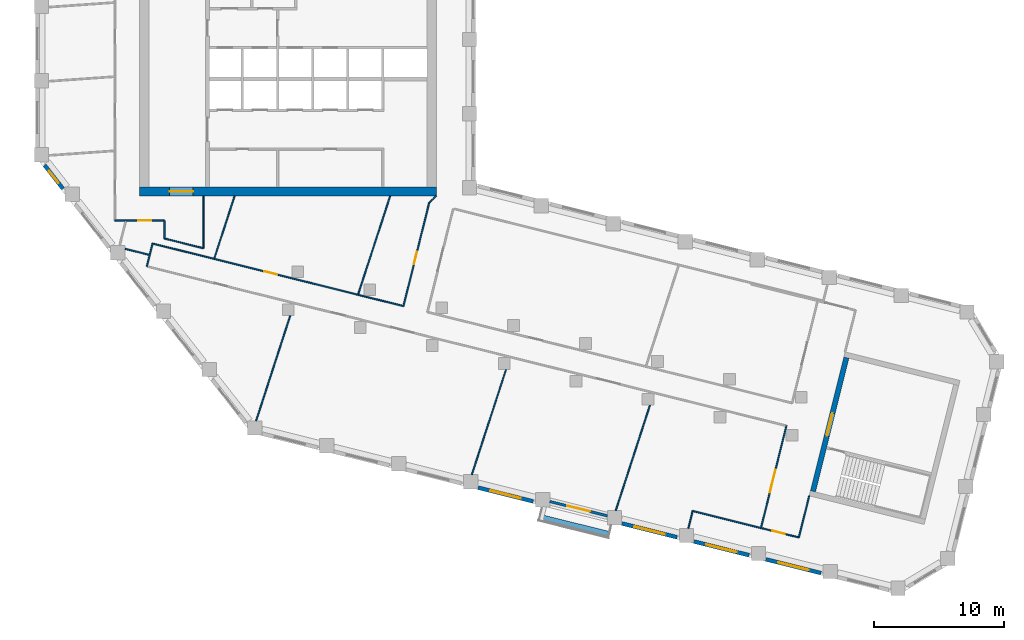
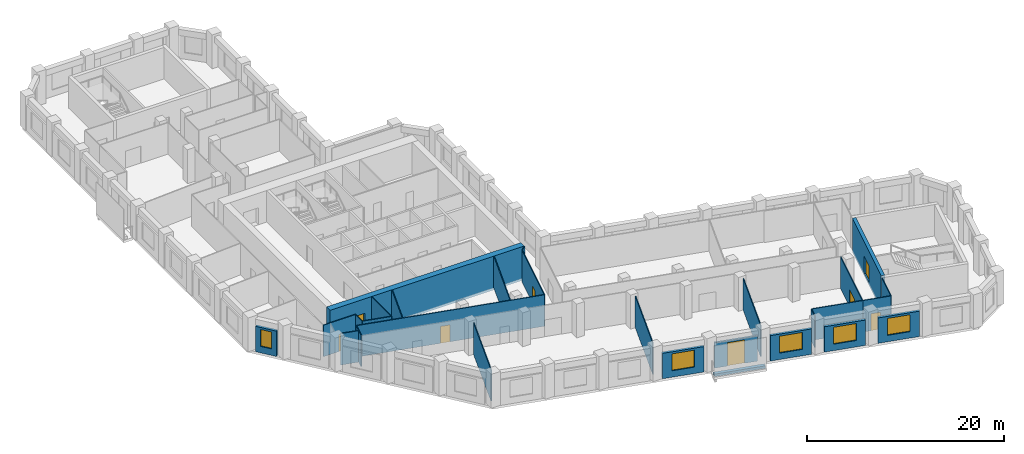
# One storey, part 3 of 10: 28 walls, 8 doors, 5 windows, 13 openings.
"""IFC4 building model written with IfcOpenShell, lengths in metres."""

from ifc_helpers import new_model, si_unit, direction, frame, frame_2d, origin, place, context, subcontext, project, spatial, rectangle, extrude, material, layer, layer_set, type_object, element, fill, save


model = new_model("IFC4")

# Units and contexts
model_context = context("Model", 3, precision=1e-05, world=origin(), true_north=direction((0.0, 1.0)))
body_context = subcontext(model_context, "Body", "Model", "MODEL_VIEW")
ifc_project = project(units=[si_unit("LENGTHUNIT", "METRE"), si_unit("AREAUNIT", "SQUARE_METRE"), si_unit("VOLUMEUNIT", "CUBIC_METRE"), si_unit("PLANEANGLEUNIT", "RADIAN"), si_unit("MASSUNIT", "GRAM", prefix="KILO")], contexts=[model_context])

# Site, building, storey
site_placement = place(None, origin())
site = spatial("IfcSite", under=ifc_project, at=site_placement, CompositionType="ELEMENT")
building_placement = place(site_placement, origin())
building = spatial("IfcBuilding", under=site, at=building_placement, Name="Meshkara Civic Tower", CompositionType="ELEMENT")
storey_placement = place(building_placement, frame((0.0, 0.0, 238.199951171875)))
storey = spatial("IfcBuildingStorey", under=building, at=storey_placement, Name="L54", CompositionType="ELEMENT", Elevation=238.199951171875)

# Wall, opening, door
ifc_material_1 = material(Name="Concrete C60", Category="concrete")
ifc_layer_1 = layer(ifc_material_1, 0.699951171875)
ifc_layer_set_1 = layer_set([ifc_layer_1], Name="Core ring wall 700 C60")
wall_type_1 = type_object("IfcWallType", Name="Core ring wall 700 C60", PredefinedType="SHEAR", material=ifc_layer_set_1)
wall_1_placement = place(storey_placement, frame((8.0, 14.449951171875, -0.300048828125), z_axis=(0.0, 0.0, 1.0), x_axis=(1.0, 0.0, 0.0)))
wall_1 = element("IfcWall", 1, at=wall_1_placement, inside=storey, type_object=wall_type_1, Name="L54-C001", PredefinedType="SHEAR", context=body_context, shape_type="SweptSolid", body=[
    extrude(rectangle(XDim=22.800048828125, YDim=0.699951171875, at=frame_2d((11.39990234375, 0.0))), origin(), (0.0, 0.0, 1.0), 4.2001953125),
])
opening_1_placement = place(wall_1_placement, frame((2.300048828125, 0.0, 0.300048828125)))
opening_1 = element("IfcOpeningElement", 2, at=opening_1_placement, cuts=wall_1, Name="Opening L54-K021", PredefinedType="OPENING", context=body_context, shape_type="SweptSolid", body=[
    extrude(rectangle(XDim=1.800048828125, YDim=2.10009765625, at=frame_2d((0.89990234375, 1.050048828125))), frame((0.0, 0.35986328125, 0.0), z_axis=(0.0, -1.0, 0.0), x_axis=(1.0, 0.0, 0.0)), (0.0, 0.0, 1.0), 0.719970703125),
])
ifc_material_2 = material(Name="Fire-rated door leaf in steel frame", Category="steel")
door_type_1 = type_object("IfcDoorType", Name="Core double door 1800 EI 60", OperationType="DOUBLE_DOOR_SINGLE_SWING", PredefinedType="DOOR", material=ifc_material_2)
door_1_placement = place(opening_1_placement, origin())
door_1 = element("IfcDoor", 3, at=door_1_placement, inside=storey, type_object=door_type_1, Name="L54-K021", OperationType="DOUBLE_DOOR_SINGLE_SWING", OverallHeight=2.10009765625, OverallWidth=1.800048828125, PredefinedType="DOOR", context=body_context, shape_type="SweptSolid", body=[
    extrude(rectangle(XDim=1.800048828125, YDim=2.10009765625, at=frame_2d((0.89990234375, 1.050048828125))), frame((0.0, 0.02490234375, 0.0), z_axis=(0.0, -1.0, 0.0), x_axis=(1.0, 0.0, 0.0)), (0.0, 0.0, 1.0), 0.050048828125),
])
fill(opening_1, door_1)

ifc_material_3 = material(Name="Corridor wall 100")
ifc_layer_2 = layer(ifc_material_3, 0.10009765625)
ifc_layer_set_2 = layer_set([ifc_layer_2], Name="Corridor wall 100")
wall_type_2 = type_object("IfcWallType", Name="Corridor wall 100", PredefinedType="PARTITIONING", material=ifc_layer_set_2)
wall_2_placement = place(storey_placement, frame((6.10009765625, 12.199951171875, 0.0), z_axis=(0.0, 0.0, 1.0), x_axis=(1.0, 0.0, 0.0)))
wall_2 = element("IfcWall", 4, at=wall_2_placement, inside=storey, type_object=wall_type_2, Name="L54-W005", PredefinedType="PARTITIONING", context=body_context, shape_type="SweptSolid", body=[
    extrude(rectangle(XDim=3.7998046875, YDim=0.10009765625, at=frame_2d((1.89990234375, 0.0))), origin(), (0.0, 0.0, 1.0), 3.900146484375),
])
opening_2_placement = place(wall_2_placement, frame((1.802001953125, 0.0, 0.0)))
opening_2 = element("IfcOpeningElement", 5, at=opening_2_placement, cuts=wall_2, Name="Opening L54-D014", PredefinedType="OPENING", context=body_context, shape_type="SweptSolid", body=[
    extrude(rectangle(XDim=1.0, YDim=2.10009765625, at=frame_2d((0.5, 1.050048828125))), frame((0.0, 0.06005859375, 0.0), z_axis=(0.0, -1.0, 0.0), x_axis=(1.0, 0.0, 0.0)), (0.0, 0.0, 1.0), 0.1201171875),
])
ifc_material_4 = material(Name="Door 1000 x 2100")
door_type_2 = type_object("IfcDoorType", Name="Door 1000 x 2100", OperationType="SINGLE_SWING_LEFT", PredefinedType="DOOR", material=ifc_material_4)
door_2_placement = place(opening_2_placement, origin())
door_2 = element("IfcDoor", 6, at=door_2_placement, inside=storey, type_object=door_type_2, Name="L54-D014", OperationType="SINGLE_SWING_RIGHT", OverallHeight=2.10009765625, OverallWidth=1.0, PredefinedType="DOOR", context=body_context, shape_type="SweptSolid", body=[
    extrude(rectangle(XDim=1.0, YDim=2.10009765625, at=frame_2d((0.5, 1.050048828125))), frame((0.0, 0.02490234375, 0.0), z_axis=(0.0, -1.0, 0.0), x_axis=(1.0, 0.0, 0.0)), (0.0, 0.0, 1.0), 0.050048828125),
])
fill(opening_2, door_2)

wall_3_placement = place(storey_placement, frame((8.988037109375, 10.43994140625, 0.0), z_axis=(0.0, 0.0, 1.0), x_axis=(0.970301223092, -0.241899848006, 0.0)))
wall_3 = element("IfcWall", 7, at=wall_3_placement, inside=storey, type_object=wall_type_2, Name="L54-W007", PredefinedType="PARTITIONING", context=body_context, shape_type="SweptSolid", body=[
    extrude(rectangle(XDim=19.87939453125, YDim=0.10009765625, at=frame_2d((9.939697265625, 0.0))), origin(), (0.0, 0.0, 1.0), 3.900146484375),
])
opening_3_placement = place(wall_3_placement, frame((8.861083984375, 0.0, 0.0)))
opening_3 = element("IfcOpeningElement", 8, at=opening_3_placement, cuts=wall_3, Name="Opening L54-D010", PredefinedType="OPENING", context=body_context, shape_type="SweptSolid", body=[
    extrude(rectangle(XDim=1.0, YDim=2.10009765625, at=frame_2d((0.5, 1.050048828125))), frame((0.0, 0.06005859375, 0.0), z_axis=(0.0, -1.0, 0.0), x_axis=(1.0, 0.0, 0.0)), (0.0, 0.0, 1.0), 0.1201171875),
])
door_3_placement = place(opening_3_placement, origin())
door_3 = element("IfcDoor", 9, at=door_3_placement, inside=storey, type_object=door_type_2, Name="L54-D010", OperationType="SINGLE_SWING_LEFT", OverallHeight=2.10009765625, OverallWidth=1.0, PredefinedType="DOOR", context=body_context, shape_type="SweptSolid", body=[
    extrude(rectangle(XDim=1.0, YDim=2.10009765625, at=frame_2d((0.5, 1.050048828125))), frame((0.0, 0.02490234375, 0.0), z_axis=(0.0, -1.0, 0.0), x_axis=(1.0, 0.0, 0.0)), (0.0, 0.0, 1.0), 0.050048828125),
])
fill(opening_3, door_3)

# Walls
wall_4_placement = place(storey_placement, frame((8.988037109375, 10.43994140625, 0.0), z_axis=(0.0, 0.0, 1.0), x_axis=(-0.242154485745, -0.970237705428, 0.0)))
element("IfcWall", 10, at=wall_4_placement, inside=storey, type_object=wall_type_2, Name="L54-W008", PredefinedType="PARTITIONING", context=body_context, shape_type="SweptSolid", body=[
    extrude(rectangle(XDim=1.80859375, YDim=0.10009765625, at=frame_2d((0.904296875, 0.0))), origin(), (0.0, 0.0, 1.0), 3.900146484375),
])
wall_5_placement = place(storey_placement, frame((9.89990234375, 10.825927734375, 0.0), z_axis=(0.0, 0.0, 1.0), x_axis=(0.970290953223, -0.241941038466, 0.0)))
element("IfcWall", 11, at=wall_5_placement, inside=storey, type_object=wall_type_2, Name="L54-W009", PredefinedType="PARTITIONING", context=body_context, shape_type="SweptSolid", body=[
    extrude(rectangle(XDim=3.091796875, YDim=0.10009765625, at=frame_2d((1.5458984375, 0.0))), origin(), (0.0, 0.0, 1.0), 3.900146484375),
])
wall_6_placement = place(storey_placement, frame((9.89990234375, 12.199951171875, 0.0), z_axis=(0.0, 0.0, 1.0), x_axis=(0.0, -1.0, 0.0)))
element("IfcWall", 12, at=wall_6_placement, inside=storey, type_object=wall_type_2, Name="L54-W010", PredefinedType="PARTITIONING", context=body_context, shape_type="SweptSolid", body=[
    extrude(rectangle(XDim=1.3740234375, YDim=0.10009765625, at=frame_2d((0.68701171875, 0.0))), origin(), (0.0, 0.0, 1.0), 3.900146484375),
])
wall_7_placement = place(storey_placement, frame((12.89990234375, 10.077880859375, 0.0), z_axis=(0.0, 0.0, 1.0), x_axis=(0.0, 1.0, 0.0)))
element("IfcWall", 13, at=wall_7_placement, inside=storey, type_object=wall_type_2, Name="L54-W016", PredefinedType="PARTITIONING", context=body_context, shape_type="SweptSolid", body=[
    extrude(rectangle(XDim=4.022216796875, YDim=0.10009765625, at=frame_2d((2.01123046875, 0.0))), origin(), (0.0, 0.0, 1.0), 3.900146484375),
])

# Wall, opening, door
wall_8_placement = place(storey_placement, frame((30.259033203125, 13.5830078125, 0.0), z_axis=(0.0, 0.0, 1.0), x_axis=(-0.241841612879, -0.970315739479, 0.0)))
wall_8 = element("IfcWall", 14, at=wall_8_placement, inside=storey, type_object=wall_type_2, Name="L54-W027", PredefinedType="PARTITIONING", context=body_context, shape_type="SweptSolid", body=[
    extrude(rectangle(XDim=8.195068359375, YDim=0.10009765625, at=frame_2d((4.09765625, 0.0))), origin(), (0.0, 0.0, 1.0), 3.900146484375),
])
opening_4_placement = place(wall_8_placement, frame((3.8798828125, 0.0, 0.0)))
opening_4 = element("IfcOpeningElement", 15, at=opening_4_placement, cuts=wall_8, Name="Opening L54-D011", PredefinedType="OPENING", context=body_context, shape_type="SweptSolid", body=[
    extrude(rectangle(XDim=1.0, YDim=2.10009765625, at=frame_2d((0.5, 1.050048828125))), frame((0.0, 0.06005859375, 0.0), z_axis=(0.0, -1.0, 0.0), x_axis=(1.0, 0.0, 0.0)), (0.0, 0.0, 1.0), 0.1201171875),
])
door_4_placement = place(opening_4_placement, origin())
door_4 = element("IfcDoor", 16, at=door_4_placement, inside=storey, type_object=door_type_2, Name="L54-D011", OperationType="SINGLE_SWING_LEFT", OverallHeight=2.10009765625, OverallWidth=1.0, PredefinedType="DOOR", context=body_context, shape_type="SweptSolid", body=[
    extrude(rectangle(XDim=1.0, YDim=2.10009765625, at=frame_2d((0.5, 1.050048828125))), frame((0.0, 0.02490234375, 0.0), z_axis=(0.0, -1.0, 0.0), x_axis=(1.0, 0.0, 0.0)), (0.0, 0.0, 1.0), 0.050048828125),
])
fill(opening_4, door_4)

# Wall
wall_9_placement = place(storey_placement, frame((30.800048828125, 14.10009765625, 0.0), z_axis=(0.0, 0.0, 1.0), x_axis=(-0.722911025189, -0.690941133281, 0.0)))
element("IfcWall", 17, at=wall_9_placement, inside=storey, type_object=wall_type_2, Name="L54-W028", PredefinedType="PARTITIONING", context=body_context, shape_type="SweptSolid", body=[
    extrude(rectangle(XDim=0.748291015625, YDim=0.10009765625, at=frame_2d((0.3740234375, 0.0))), origin(), (0.0, 0.0, 1.0), 3.900146484375),
])

# Wall, opening, door
wall_10_placement = place(storey_placement, frame((55.760986328125, -11.428955078125, 0.0), z_axis=(0.0, 0.0, 1.0), x_axis=(0.970276376031, -0.241999491975, 0.0)))
wall_10 = element("IfcWall", 18, at=wall_10_placement, inside=storey, type_object=wall_type_2, Name="L54-W031", PredefinedType="PARTITIONING", context=body_context, shape_type="SweptSolid", body=[
    extrude(rectangle(XDim=3.000244140625, YDim=0.10009765625, at=frame_2d((1.5, 0.0))), origin(), (0.0, 0.0, 1.0), 3.900146484375),
])
opening_5_placement = place(wall_10_placement, frame((0.8798828125, 0.0, 0.0)))
opening_5 = element("IfcOpeningElement", 19, at=opening_5_placement, cuts=wall_10, Name="Opening L54-D002", PredefinedType="OPENING", context=body_context, shape_type="SweptSolid", body=[
    extrude(rectangle(XDim=1.0, YDim=2.10009765625, at=frame_2d((0.5, 1.050048828125))), frame((0.0, 0.06005859375, 0.0), z_axis=(0.0, -1.0, 0.0), x_axis=(1.0, 0.0, 0.0)), (0.0, 0.0, 1.0), 0.1201171875),
])
door_5_placement = place(opening_5_placement, origin())
door_5 = element("IfcDoor", 20, at=door_5_placement, inside=storey, type_object=door_type_2, Name="L54-D002", OperationType="SINGLE_SWING_RIGHT", OverallHeight=2.10009765625, OverallWidth=1.0, PredefinedType="DOOR", context=body_context, shape_type="SweptSolid", body=[
    extrude(rectangle(XDim=1.0, YDim=2.10009765625, at=frame_2d((0.5, 1.050048828125))), frame((0.0, 0.02490234375, 0.0), z_axis=(0.0, -1.0, 0.0), x_axis=(1.0, 0.0, 0.0)), (0.0, 0.0, 1.0), 0.050048828125),
])
fill(opening_5, door_5)

wall_11_placement = place(storey_placement, frame((57.719970703125, -3.573974609375, 0.0), z_axis=(0.0, 0.0, 1.0), x_axis=(-0.241982110561, -0.970280711015, 0.0)))
wall_11 = element("IfcWall", 21, at=wall_11_placement, inside=storey, type_object=wall_type_2, Name="L54-W032", PredefinedType="PARTITIONING", context=body_context, shape_type="SweptSolid", body=[
    extrude(rectangle(XDim=8.095458984375, YDim=0.10009765625, at=frame_2d((4.0478515625, 0.0))), origin(), (0.0, 0.0, 1.0), 3.900146484375),
])
opening_6_placement = place(wall_11_placement, frame((3.47998046875, 0.0, 0.0)))
opening_6 = element("IfcOpeningElement", 22, at=opening_6_placement, cuts=wall_11, Name="Opening L54-D001", PredefinedType="OPENING", context=body_context, shape_type="SweptSolid", body=[
    extrude(rectangle(XDim=1.800048828125, YDim=2.10009765625, at=frame_2d((0.89990234375, 1.050048828125))), frame((0.0, 0.06005859375, 0.0), z_axis=(0.0, -1.0, 0.0), x_axis=(1.0, 0.0, 0.0)), (0.0, 0.0, 1.0), 0.1201171875),
])
ifc_material_5 = material(Name="Door pair 1800 x 2100")
door_type_3 = type_object("IfcDoorType", Name="Door pair 1800 x 2100", OperationType="SINGLE_SWING_LEFT", PredefinedType="DOOR", material=ifc_material_5)
door_6_placement = place(opening_6_placement, origin())
door_6 = element("IfcDoor", 23, at=door_6_placement, inside=storey, type_object=door_type_3, Name="L54-D001", OperationType="DOUBLE_DOOR_SINGLE_SWING", OverallHeight=2.10009765625, OverallWidth=1.800048828125, PredefinedType="DOOR", context=body_context, shape_type="SweptSolid", body=[
    extrude(rectangle(XDim=1.800048828125, YDim=2.10009765625, at=frame_2d((0.89990234375, 1.050048828125))), frame((0.0, 0.02490234375, 0.0), z_axis=(0.0, -1.0, 0.0), x_axis=(1.0, 0.0, 0.0)), (0.0, 0.0, 1.0), 0.050048828125),
])
fill(opening_6, door_6)

# Wall
wall_12_placement = place(storey_placement, frame((58.672119140625, -12.155029296875, 0.0), z_axis=(0.0, 0.0, 1.0), x_axis=(0.242048225647, 0.970264219922, 0.0)))
element("IfcWall", 24, at=wall_12_placement, inside=storey, type_object=wall_type_2, Name="L54-W033", PredefinedType="PARTITIONING", context=body_context, shape_type="SweptSolid", body=[
    extrude(rectangle(XDim=3.30029296875, YDim=0.10009765625, at=frame_2d((1.650146484375, 0.0))), origin(), (0.0, 0.0, 1.0), 3.900146484375),
])

# Wall, opening, window
ifc_material_6 = material(Name="Insulated infill panel with bronze anodised aluminium cladding", Category="aluminium")
ifc_layer_3 = layer(ifc_material_6, 0.300048828125)
ifc_layer_set_3 = layer_set([ifc_layer_3], Name="EXTERNAL INFILL WALL 300")
wall_type_3 = type_object("IfcWallType", Name="EXTERNAL INFILL WALL 300", PredefinedType="SOLIDWALL", material=ifc_layer_set_3)
wall_13_placement = place(storey_placement, frame((0.68896484375, 16.4619140625, 0.0), z_axis=(0.0, 0.0, 1.0), x_axis=(0.615625465473, -0.788038886262, 0.0)))
wall_13 = element("IfcWall", 25, at=wall_13_placement, inside=storey, type_object=wall_type_3, Name="External wall", PredefinedType="SOLIDWALL", context=body_context, shape_type="SweptSolid", body=[
    extrude(rectangle(XDim=2.29541015625, YDim=0.300048828125, at=frame_2d((1.147705078125, 0.0))), origin(), (0.0, 0.0, 1.0), 3.150146484375),
])
opening_7_placement = place(wall_13_placement, frame((0.548095703125, 0.0, 0.800048828125)))
opening_7 = element("IfcOpeningElement", 26, at=opening_7_placement, cuts=wall_13, Name="Opening W3", PredefinedType="OPENING", context=body_context, shape_type="SweptSolid", body=[
    extrude(rectangle(XDim=1.199951171875, YDim=2.10009765625, at=frame_2d((0.60009765625, 1.050048828125))), frame((0.0, 0.159912109375, 0.0), z_axis=(0.0, -1.0, 0.0), x_axis=(1.0, 0.0, 0.0)), (0.0, 0.0, 1.0), 0.320068359375),
])
ifc_material_7 = material(Name="Tinted double glazing", Category="glass")
window_type_1 = type_object("IfcWindowType", Name="WINDOW 1200x2100", PartitioningType="SINGLE_PANEL", PredefinedType="WINDOW", material=ifc_material_7)
window_1_placement = place(opening_7_placement, origin())
window_1 = element("IfcWindow", 27, at=window_1_placement, inside=storey, type_object=window_type_1, Name="Window", OverallHeight=2.10009765625, OverallWidth=1.199951171875, PartitioningType="SINGLE_PANEL", PredefinedType="WINDOW", context=body_context, shape_type="SweptSolid", body=[
    extrude(rectangle(XDim=1.199951171875, YDim=2.10009765625, at=frame_2d((0.60009765625, 1.050048828125))), frame((0.0, 0.030029296875, 0.0), z_axis=(0.0, -1.0, 0.0), x_axis=(1.0, 0.0, 0.0)), (0.0, 0.0, 1.0), 0.06005859375),
])
fill(opening_7, window_1)

wall_14_placement = place(storey_placement, frame((34.01708984375, -8.326904296875, 0.0), z_axis=(0.0, 0.0, 1.0), x_axis=(0.970306725873, -0.241877774353, 0.0)))
wall_14 = element("IfcWall", 28, at=wall_14_placement, inside=storey, type_object=wall_type_3, Name="External wall", PredefinedType="SOLIDWALL", context=body_context, shape_type="SweptSolid", body=[
    extrude(rectangle(XDim=4.366455078125, YDim=0.300048828125, at=frame_2d((2.18310546875, 0.0))), origin(), (0.0, 0.0, 1.0), 3.150146484375),
])
opening_8_placement = place(wall_14_placement, frame((0.98291015625, 0.0, 0.800048828125)))
opening_8 = element("IfcOpeningElement", 29, at=opening_8_placement, cuts=wall_14, Name="Opening W7", PredefinedType="OPENING", context=body_context, shape_type="SweptSolid", body=[
    extrude(rectangle(XDim=2.39990234375, YDim=2.10009765625, at=frame_2d((1.199951171875, 1.050048828125))), frame((0.0, 0.159912109375, 0.0), z_axis=(0.0, -1.0, 0.0), x_axis=(1.0, 0.0, 0.0)), (0.0, 0.0, 1.0), 0.320068359375),
])
ifc_material_8 = material(Name="Tinted double glazing", Category="glass")
window_type_2 = type_object("IfcWindowType", Name="WINDOW 2400x2100", PartitioningType="DOUBLE_PANEL_VERTICAL", PredefinedType="WINDOW", material=ifc_material_8)
window_2_placement = place(opening_8_placement, origin())
window_2 = element("IfcWindow", 30, at=window_2_placement, inside=storey, type_object=window_type_2, Name="Window", OverallHeight=2.10009765625, OverallWidth=2.39990234375, PartitioningType="DOUBLE_PANEL_VERTICAL", PredefinedType="WINDOW", context=body_context, shape_type="SweptSolid", body=[
    extrude(rectangle(XDim=2.39990234375, YDim=2.10009765625, at=frame_2d((1.199951171875, 1.050048828125))), frame((0.0, 0.030029296875, 0.0), z_axis=(0.0, -1.0, 0.0), x_axis=(1.0, 0.0, 0.0)), (0.0, 0.0, 1.0), 0.06005859375),
])
fill(opening_8, window_2)

wall_15_placement = place(storey_placement, frame((45.0791015625, -11.0849609375, 0.0), z_axis=(0.0, 0.0, 1.0), x_axis=(0.970293636985, -0.241930275135, 0.0)))
wall_15 = element("IfcWall", 31, at=wall_15_placement, inside=storey, type_object=wall_type_3, Name="External wall", PredefinedType="SOLIDWALL", context=body_context, shape_type="SweptSolid", body=[
    extrude(rectangle(XDim=4.365478515625, YDim=0.300048828125, at=frame_2d((2.1826171875, 0.0))), origin(), (0.0, 0.0, 1.0), 3.150146484375),
])
opening_9_placement = place(wall_15_placement, frame((0.98291015625, 0.0, 0.800048828125)))
opening_9 = element("IfcOpeningElement", 32, at=opening_9_placement, cuts=wall_15, Name="Opening W7", PredefinedType="OPENING", context=body_context, shape_type="SweptSolid", body=[
    extrude(rectangle(XDim=2.39990234375, YDim=2.10009765625, at=frame_2d((1.199951171875, 1.050048828125))), frame((0.0, 0.159912109375, 0.0), z_axis=(0.0, -1.0, 0.0), x_axis=(1.0, 0.0, 0.0)), (0.0, 0.0, 1.0), 0.320068359375),
])
window_3_placement = place(opening_9_placement, origin())
window_3 = element("IfcWindow", 33, at=window_3_placement, inside=storey, type_object=window_type_2, Name="Window", OverallHeight=2.10009765625, OverallWidth=2.39990234375, PartitioningType="DOUBLE_PANEL_VERTICAL", PredefinedType="WINDOW", context=body_context, shape_type="SweptSolid", body=[
    extrude(rectangle(XDim=2.39990234375, YDim=2.10009765625, at=frame_2d((1.199951171875, 1.050048828125))), frame((0.0, 0.030029296875, 0.0), z_axis=(0.0, -1.0, 0.0), x_axis=(1.0, 0.0, 0.0)), (0.0, 0.0, 1.0), 0.06005859375),
])
fill(opening_9, window_3)

wall_16_placement = place(storey_placement, frame((50.60888671875, -12.462890625, 0.0), z_axis=(0.0, 0.0, 1.0), x_axis=(0.970257492536, -0.242075191166, 0.0)))
wall_16 = element("IfcWall", 34, at=wall_16_placement, inside=storey, type_object=wall_type_3, Name="External wall", PredefinedType="SOLIDWALL", context=body_context, shape_type="SweptSolid", body=[
    extrude(rectangle(XDim=4.366943359375, YDim=0.300048828125, at=frame_2d((2.18359375, 0.0))), origin(), (0.0, 0.0, 1.0), 3.150146484375),
])
opening_10_placement = place(wall_16_placement, frame((0.98291015625, 0.0, 0.800048828125)))
opening_10 = element("IfcOpeningElement", 35, at=opening_10_placement, cuts=wall_16, Name="Opening W7", PredefinedType="OPENING", context=body_context, shape_type="SweptSolid", body=[
    extrude(rectangle(XDim=2.39990234375, YDim=2.10009765625, at=frame_2d((1.199951171875, 1.050048828125))), frame((0.0, 0.159912109375, 0.0), z_axis=(0.0, -1.0, 0.0), x_axis=(1.0, 0.0, 0.0)), (0.0, 0.0, 1.0), 0.320068359375),
])
window_4_placement = place(opening_10_placement, origin())
window_4 = element("IfcWindow", 36, at=window_4_placement, inside=storey, type_object=window_type_2, Name="Window", OverallHeight=2.10009765625, OverallWidth=2.39990234375, PartitioningType="DOUBLE_PANEL_VERTICAL", PredefinedType="WINDOW", context=body_context, shape_type="SweptSolid", body=[
    extrude(rectangle(XDim=2.39990234375, YDim=2.10009765625, at=frame_2d((1.199951171875, 1.050048828125))), frame((0.0, 0.030029296875, 0.0), z_axis=(0.0, -1.0, 0.0), x_axis=(1.0, 0.0, 0.0)), (0.0, 0.0, 1.0), 0.06005859375),
])
fill(opening_10, window_4)

wall_17_placement = place(storey_placement, frame((56.139892578125, -13.842041015625, 0.0), z_axis=(0.0, 0.0, 1.0), x_axis=(0.970270622343, -0.24202255973, 0.0)))
wall_17 = element("IfcWall", 37, at=wall_17_placement, inside=storey, type_object=wall_type_3, Name="External wall", PredefinedType="SOLIDWALL", context=body_context, shape_type="SweptSolid", body=[
    extrude(rectangle(XDim=4.366943359375, YDim=0.300048828125, at=frame_2d((2.18359375, 0.0))), origin(), (0.0, 0.0, 1.0), 3.150146484375),
])
opening_11_placement = place(wall_17_placement, frame((0.98291015625, 0.0, 0.800048828125)))
opening_11 = element("IfcOpeningElement", 38, at=opening_11_placement, cuts=wall_17, Name="Opening W7", PredefinedType="OPENING", context=body_context, shape_type="SweptSolid", body=[
    extrude(rectangle(XDim=2.39990234375, YDim=2.10009765625, at=frame_2d((1.199951171875, 1.050048828125))), frame((0.0, 0.159912109375, 0.0), z_axis=(0.0, -1.0, 0.0), x_axis=(1.0, 0.0, 0.0)), (0.0, 0.0, 1.0), 0.320068359375),
])
window_5_placement = place(opening_11_placement, origin())
window_5 = element("IfcWindow", 39, at=window_5_placement, inside=storey, type_object=window_type_2, Name="Window", OverallHeight=2.10009765625, OverallWidth=2.39990234375, PartitioningType="DOUBLE_PANEL_VERTICAL", PredefinedType="WINDOW", context=body_context, shape_type="SweptSolid", body=[
    extrude(rectangle(XDim=2.39990234375, YDim=2.10009765625, at=frame_2d((1.199951171875, 1.050048828125))), frame((0.0, 0.030029296875, 0.0), z_axis=(0.0, -1.0, 0.0), x_axis=(1.0, 0.0, 0.0)), (0.0, 0.0, 1.0), 0.06005859375),
])
fill(opening_11, window_5)

# Wall, opening, door
ifc_material_9 = material(Name="Concrete C60", Category="concrete")
ifc_layer_4 = layer(ifc_material_9, 0.39990234375)
ifc_layer_set_4 = layer_set([ifc_layer_4], Name="End core ring wall 400 C60")
wall_type_4 = type_object("IfcWallType", Name="End core ring wall 400 C60", PredefinedType="SHEAR", material=ifc_layer_set_4)
wall_18_placement = place(storey_placement, frame((59.760986328125, -8.613037109375, -0.300048828125), z_axis=(0.0, 0.0, 1.0), x_axis=(0.241971982666, 0.970283236795, 0.0)))
wall_18 = element("IfcWall", 40, at=wall_18_placement, inside=storey, type_object=wall_type_4, Name="L54-C030", PredefinedType="SHEAR", context=body_context, shape_type="SweptSolid", body=[
    extrude(rectangle(XDim=10.60009765625, YDim=0.39990234375, at=frame_2d((5.300048828125, 0.0))), origin(), (0.0, 0.0, 1.0), 4.2001953125),
])
opening_12_placement = place(wall_18_placement, frame((4.39990234375, 0.0, 0.300048828125)))
opening_12 = element("IfcOpeningElement", 41, at=opening_12_placement, cuts=wall_18, Name="Opening L54-K202", PredefinedType="OPENING", context=body_context, shape_type="SweptSolid", body=[
    extrude(rectangle(XDim=1.800048828125, YDim=2.10009765625, at=frame_2d((0.89990234375, 1.050048828125))), frame((0.0, 0.2099609375, 0.0), z_axis=(0.0, -1.0, 0.0), x_axis=(1.0, 0.0, 0.0)), (0.0, 0.0, 1.0), 0.419921875),
])
door_7_placement = place(opening_12_placement, origin())
door_7 = element("IfcDoor", 42, at=door_7_placement, inside=storey, type_object=door_type_1, Name="L54-K202", OperationType="DOUBLE_DOOR_SINGLE_SWING", OverallHeight=2.10009765625, OverallWidth=1.800048828125, PredefinedType="DOOR", context=body_context, shape_type="SweptSolid", body=[
    extrude(rectangle(XDim=1.800048828125, YDim=2.10009765625, at=frame_2d((0.89990234375, 1.050048828125))), frame((0.0, 0.02490234375, 0.0), z_axis=(0.0, -1.0, 0.0), x_axis=(1.0, 0.0, 0.0)), (0.0, 0.0, 1.0), 0.050048828125),
])
fill(opening_12, door_7)

ifc_material_10 = material(Name="Insulated infill panel with bronze anodised aluminium cladding", Category="aluminium")
ifc_layer_5 = layer(ifc_material_10, 0.199951171875)
ifc_layer_set_5 = layer_set([ifc_layer_5], Name="LOGGIA BACK WALL 200")
wall_type_5 = type_object("IfcWallType", Name="LOGGIA BACK WALL 200", PredefinedType="SOLIDWALL", material=ifc_layer_set_5)
wall_19_placement = place(storey_placement, frame((39.52392578125, -9.39111328125, 0.0), z_axis=(0.0, 0.0, 1.0), x_axis=(0.970337166083, -0.241755628927, 0.0)))
wall_19 = element("IfcWall", 43, at=wall_19_placement, inside=storey, type_object=wall_type_5, Name="Loggia wall", PredefinedType="SOLIDWALL", context=body_context, shape_type="SweptSolid", body=[
    extrude(rectangle(XDim=4.566650390625, YDim=0.199951171875, at=frame_2d((2.283203125, 0.0))), origin(), (0.0, 0.0, 1.0), 3.150146484375),
])
opening_13_placement = place(wall_19_placement, frame((1.383056640625, 0.0, 0.0)))
opening_13 = element("IfcOpeningElement", 44, at=opening_13_placement, cuts=wall_19, Name="Opening L54-L002", PredefinedType="OPENING", context=body_context, shape_type="SweptSolid", body=[
    extrude(rectangle(XDim=1.800048828125, YDim=2.89990234375, at=frame_2d((0.89990234375, 1.449951171875))), frame((0.0, 0.10986328125, 0.0), z_axis=(0.0, -1.0, 0.0), x_axis=(1.0, 0.0, 0.0)), (0.0, 0.0, 1.0), 0.219970703125),
])
ifc_material_11 = material(Name="Tinted double glazing", Category="glass")
door_type_4 = type_object("IfcDoorType", Name="LOGGIA DOOR 1800x2900", OperationType="DOUBLE_DOOR_SINGLE_SWING", PredefinedType="DOOR", material=ifc_material_11)
door_8_placement = place(opening_13_placement, origin())
door_8 = element("IfcDoor", 45, at=door_8_placement, inside=storey, type_object=door_type_4, Name="L54-L002", OperationType="DOUBLE_DOOR_SINGLE_SWING", OverallHeight=2.89990234375, OverallWidth=1.800048828125, PredefinedType="DOOR", context=body_context, shape_type="SweptSolid", body=[
    extrude(rectangle(XDim=1.800048828125, YDim=2.89990234375, at=frame_2d((0.89990234375, 1.449951171875))), frame((0.0, 0.02490234375, 0.0), z_axis=(0.0, -1.0, 0.0), x_axis=(1.0, 0.0, 0.0)), (0.0, 0.0, 1.0), 0.050048828125),
])
fill(opening_13, door_8)

# Walls
ifc_material_12 = material(Name="Concrete C40", Category="concrete")
ifc_layer_6 = layer(ifc_material_12, 0.39990234375)
ifc_layer_set_6 = layer_set([ifc_layer_6], Name="PLANTER TRAY")
wall_type_6 = type_object("IfcWallType", Name="PLANTER TRAY", PredefinedType="SOLIDWALL", material=ifc_layer_set_6)
wall_20_placement = place(storey_placement, frame((38.81689453125, -10.5849609375, 0.0), z_axis=(0.0, 0.0, 1.0), x_axis=(0.970281652924, -0.241978333739, 0.0)))
element("IfcWall", 46, at=wall_20_placement, inside=storey, type_object=wall_type_6, Name="Planter", PredefinedType="SOLIDWALL", context=body_context, shape_type="SweptSolid", body=[
    extrude(rectangle(XDim=5.360595703125, YDim=0.39990234375, at=frame_2d((2.68017578125, 0.0))), origin(), (0.0, 0.0, 1.0), 0.300048828125),
])
ifc_material_13 = material(Name="Partition 100")
ifc_layer_7 = layer(ifc_material_13, 0.10009765625)
ifc_layer_set_7 = layer_set([ifc_layer_7], Name="Partition 100")
wall_type_7 = type_object("IfcWallType", Name="Partition 100", PredefinedType="PARTITIONING", material=ifc_layer_set_7)
wall_21_placement = place(storey_placement, frame((8.719970703125, 9.573974609375, 0.0), z_axis=(0.0, 0.0, 1.0), x_axis=(-0.970240497311, 0.242143299263, 0.0)))
element("IfcWall", 47, at=wall_21_placement, inside=storey, type_object=wall_type_7, Name="L54-W044", PredefinedType="PARTITIONING", context=body_context, shape_type="SweptSolid", body=[
    extrude(rectangle(XDim=1.903564453125, YDim=0.10009765625, at=frame_2d((0.95166015625, 0.0))), origin(), (0.0, 0.0, 1.0), 3.900146484375),
])
wall_22_placement = place(storey_placement, frame((13.740966796875, 9.31005859375, 0.0), z_axis=(0.0, 0.0, 1.0), x_axis=(0.308976461467, 0.95106968528, 0.0)))
element("IfcWall", 48, at=wall_22_placement, inside=storey, type_object=wall_type_7, Name="L54-W046", PredefinedType="PARTITIONING", context=body_context, shape_type="SweptSolid", body=[
    extrude(rectangle(XDim=5.036376953125, YDim=0.10009765625, at=frame_2d((2.51806640625, 0.0))), origin(), (0.0, 0.0, 1.0), 3.900146484375),
])
wall_23_placement = place(storey_placement, frame((16.946044921875, -3.18798828125, 0.0), z_axis=(0.0, 0.0, 1.0), x_axis=(0.308984279279, 0.951067145452, 0.0)))
element("IfcWall", 49, at=wall_23_placement, inside=storey, type_object=wall_type_7, Name="L54-W047", PredefinedType="PARTITIONING", context=body_context, shape_type="SweptSolid", body=[
    extrude(rectangle(XDim=8.5146484375, YDim=0.10009765625, at=frame_2d((4.25732421875, 0.0))), origin(), (0.0, 0.0, 1.0), 3.900146484375),
])
wall_24_placement = place(storey_placement, frame((24.802978515625, 6.552001953125, 0.0), z_axis=(0.0, 0.0, 1.0), x_axis=(0.308946255954, 0.951079497693, 0.0)))
element("IfcWall", 50, at=wall_24_placement, inside=storey, type_object=wall_type_7, Name="L54-W049", PredefinedType="PARTITIONING", context=body_context, shape_type="SweptSolid", body=[
    extrude(rectangle(XDim=7.936279296875, YDim=0.10009765625, at=frame_2d((3.96826171875, 0.0))), origin(), (0.0, 0.0, 1.0), 3.900146484375),
])
wall_25_placement = place(storey_placement, frame((33.5380859375, -7.324951171875, 0.0), z_axis=(0.0, 0.0, 1.0), x_axis=(0.308984279279, 0.951067145452, 0.0)))
element("IfcWall", 51, at=wall_25_placement, inside=storey, type_object=wall_type_7, Name="L54-W050", PredefinedType="PARTITIONING", context=body_context, shape_type="SweptSolid", body=[
    extrude(rectangle(XDim=8.5146484375, YDim=0.10009765625, at=frame_2d((4.25732421875, 0.0))), origin(), (0.0, 0.0, 1.0), 3.900146484375),
])
wall_26_placement = place(storey_placement, frame((44.59912109375, -10.08203125, 0.0), z_axis=(0.0, 0.0, 1.0), x_axis=(0.309121734115, 0.951022477914, 0.0)))
element("IfcWall", 52, at=wall_26_placement, inside=storey, type_object=wall_type_7, Name="L54-W051", PredefinedType="PARTITIONING", context=body_context, shape_type="SweptSolid", body=[
    extrude(rectangle(XDim=8.513916015625, YDim=0.10009765625, at=frame_2d((4.2568359375, 0.0))), origin(), (0.0, 0.0, 1.0), 3.900146484375),
])
wall_27_placement = place(storey_placement, frame((50.172119140625, -11.4609375, 0.0), z_axis=(0.0, 0.0, 1.0), x_axis=(0.242161836409, 0.9702358708, 0.0)))
element("IfcWall", 53, at=wall_27_placement, inside=storey, type_object=wall_type_7, Name="L54-W053", PredefinedType="PARTITIONING", context=body_context, shape_type="SweptSolid", body=[
    extrude(rectangle(XDim=1.38330078125, YDim=0.10009765625, at=frame_2d((0.691650390625, 0.0))), origin(), (0.0, 0.0, 1.0), 3.900146484375),
])
wall_28_placement = place(storey_placement, frame((50.507080078125, -10.118896484375, 0.0), z_axis=(0.0, 0.0, 1.0), x_axis=(0.970290732875, -0.241941922155, 0.0)))
element("IfcWall", 54, at=wall_28_placement, inside=storey, type_object=wall_type_7, Name="L54-W054", PredefinedType="PARTITIONING", context=body_context, shape_type="SweptSolid", body=[
    extrude(rectangle(XDim=5.418701171875, YDim=0.10009765625, at=frame_2d((2.70947265625, 0.0))), origin(), (0.0, 0.0, 1.0), 3.900146484375),
])

save(model, "model.ifc")
